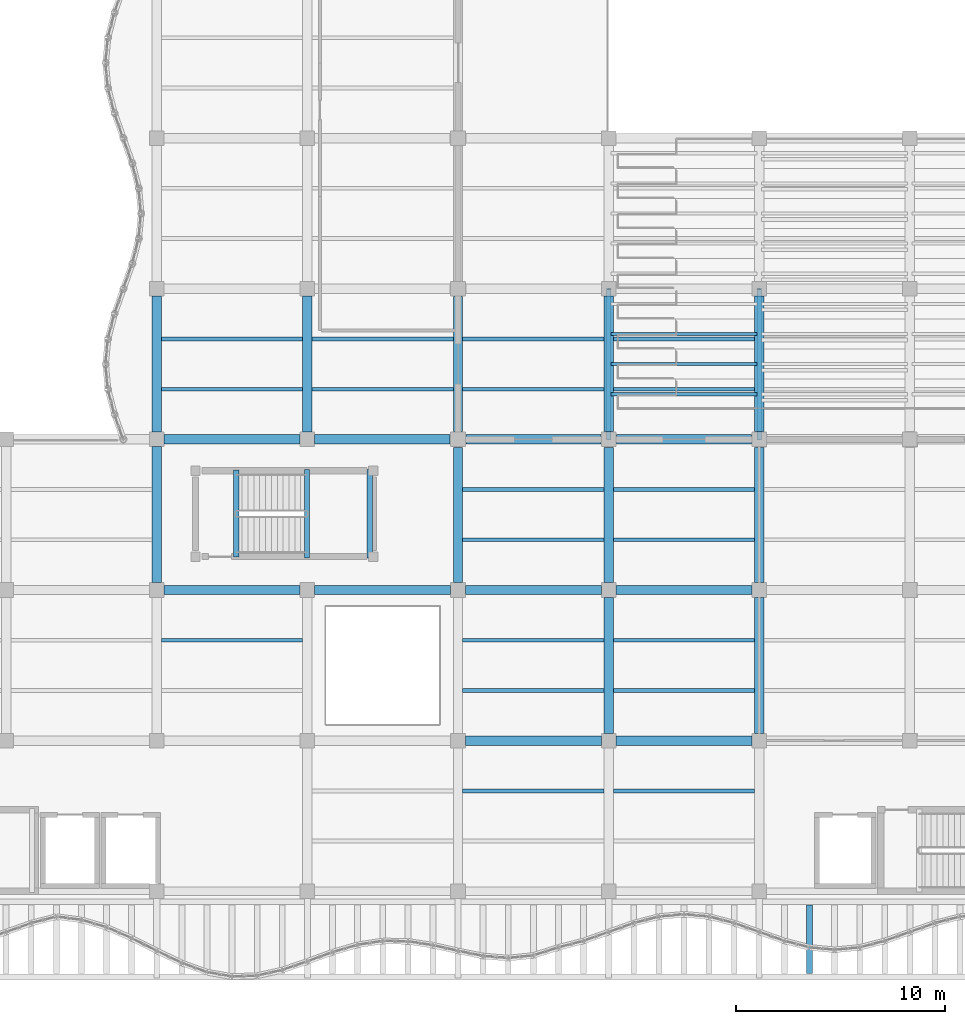
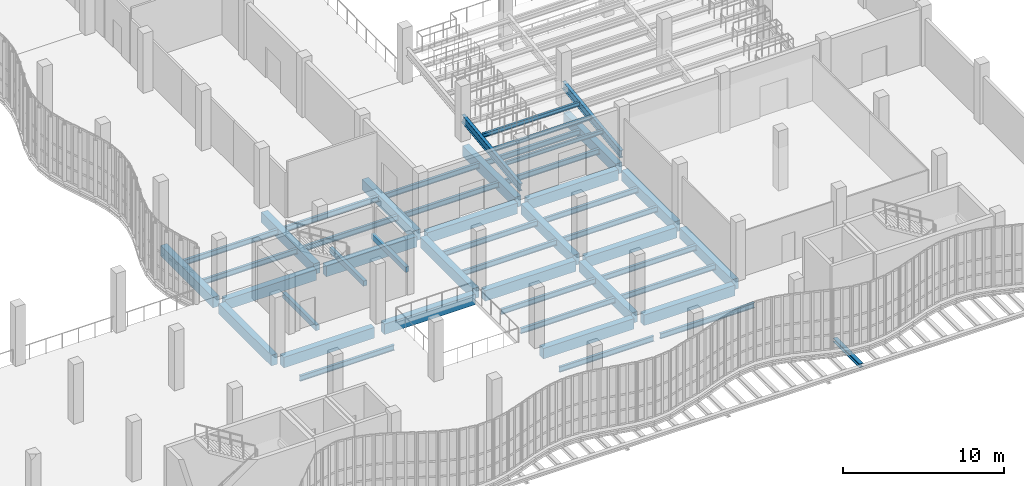
# One storey, part 35 of 108: 49 beams.
"""IFC4 building model written with IfcOpenShell, lengths in metres."""

from ifc_helpers import new_model, si_unit, direction, frame, origin, origin_2d, place, context, subcontext, project, spatial, rectangle, i_section, extrude, material, material_profile, profile_set, type_object, element, save


model = new_model("IFC4")

# Units and contexts
model_context = context("Model", 3, precision=1e-05, world=origin(), true_north=direction((0.0, 1.0)))
body_context = subcontext(model_context, "Body", "Model", "MODEL_VIEW")
ifc_project = project(units=[si_unit("LENGTHUNIT", "METRE"), si_unit("AREAUNIT", "SQUARE_METRE"), si_unit("VOLUMEUNIT", "CUBIC_METRE"), si_unit("PLANEANGLEUNIT", "RADIAN"), si_unit("MASSUNIT", "GRAM", prefix="KILO"), si_unit("THERMODYNAMICTEMPERATUREUNIT", "KELVIN"), si_unit("POWERUNIT", "WATT")], contexts=[model_context])

# Site, building, storey
site_placement = place(None, origin())
site = spatial("IfcSite", under=ifc_project, at=site_placement, CompositionType="ELEMENT")
building_placement = place(site_placement, origin())
building = spatial("IfcBuilding", under=site, at=building_placement, Name="Kaldorven Railside Theatre", CompositionType="ELEMENT")
storey_placement = place(building_placement, frame((0.0, 0.0, 5.39990234375)))
storey = spatial("IfcBuildingStorey", under=building, at=storey_placement, Name="L01", CompositionType="ELEMENT", Elevation=5.39990234375)

# Beams
ifc_material_1 = material(Name="Steel S355", Category="steel")
ifc_material_profile_1 = material_profile(ifc_material_1, i_section(OverallWidth=0.280029296875, OverallDepth=0.280029296875, WebThickness=0.010498046875, FlangeThickness=0.01806640625, at=origin_2d()), Name="HEB 280")
ifc_profile_set_1 = profile_set([ifc_material_profile_1], Name="Steel S355")
beam_type_1 = type_object("IfcBeamType", Name="BM-HEB280", PredefinedType="SPANDREL", material=ifc_profile_set_1)
beam_1_placement = place(storey_placement, frame((104.0, 15.260009765625, -0.719970703125), z_axis=(0.0, 1.0, 0.0), x_axis=(-1.0, 0.0, 0.0)))
element("IfcBeam", 1, at=beam_1_placement, inside=storey, type_object=beam_type_1, Name="L01 Sinusoidal Diaphragm Rib Outrigger FOB-M057", PredefinedType="SPANDREL", context=body_context, shape_type="SweptSolid", body=[
    extrude(i_section(OverallWidth=0.280029296875, OverallDepth=0.280029296875, WebThickness=0.010498046875, FlangeThickness=0.01806640625, at=origin_2d()), origin(), (0.0, 0.0, 1.0), 3.280029296875),
])
ifc_material_profile_2 = material_profile(ifc_material_1, i_section(OverallWidth=0.14990234375, OverallDepth=0.300048828125, WebThickness=0.007080078125, FlangeThickness=0.0107421875, at=origin_2d()), Name="IPE 300")
ifc_profile_set_2 = profile_set([ifc_material_profile_2], Name="Steel S355")
beam_type_2 = type_object("IfcBeamType", Name="BM-IPE300", PredefinedType="JOIST", material=ifc_profile_set_2)
for number, where, z_axis, x_axis, name in (
    (2, (94.510009765625, 42.9599609375, 1.080078125), (1.0, 0.0, 0.0), (0.0, 1.0, 0.0), "Seating Tier Transverse Bearer TBR-V1D-021"),
    (3, (94.510009765625, 44.39990234375, 1.260009765625), (1.0, 0.0, 0.0), (0.0, 1.0, 0.0), "Seating Tier Transverse Bearer TBR-V1D-031"),
    (4, (94.510009765625, 45.840087890625, 1.440185546875), (1.0, 0.0, 0.0), (0.0, 1.0, 0.0), "Seating Tier Transverse Bearer TBR-V1D-041"),
):
    element("IfcBeam", number, at=place(storey_placement, frame(where, z_axis=z_axis, x_axis=x_axis)), inside=storey, type_object=beam_type_2, Name=name, PredefinedType="JOIST", context=body_context, shape_type="SweptSolid", body=[
        extrude(i_section(OverallWidth=0.14990234375, OverallDepth=0.300048828125, WebThickness=0.007080078125, FlangeThickness=0.0107421875, at=origin_2d()), origin(), (0.0, 0.0, 1.0), 6.97998046875),
    ])
ifc_material_profile_3 = material_profile(ifc_material_1, i_section(OverallWidth=0.179931640625, OverallDepth=0.39990234375, WebThickness=0.008544921875, FlangeThickness=0.013427734375, at=origin_2d()), Name="IPE 400")
ifc_profile_set_3 = profile_set([ifc_material_profile_3], Name="Steel S355")
beam_type_3 = type_object("IfcBeamType", Name="BM-IPE400", PredefinedType="JOIST", material=ifc_profile_set_3)
for number, where, z_axis, x_axis, name in (
    (5, (87.425048828125, 24.0, -0.5), (1.0, 0.0, 0.0), (0.0, 1.0, 0.0), "L01 Secondary Floor Joist JG-L01-087-0240"),
    (6, (94.625, 24.0, -0.5), (1.0, 0.0, 0.0), (0.0, 1.0, 0.0), "L01 Secondary Floor Joist JG-L01-094-0240"),
    (7, (73.02490234375, 31.199951171875, -0.5), (1.0, 0.0, 0.0), (0.0, 1.0, 0.0), "L01 Secondary Floor Joist JG-L01-072-0312"),
    (8, (87.425048828125, 28.800048828125, -0.5), (1.0, 0.0, 0.0), (0.0, 1.0, 0.0), "L01 Secondary Floor Joist JG-L01-087-0288"),
    (9, (87.425048828125, 31.199951171875, -0.5), (1.0, 0.0, 0.0), (0.0, 1.0, 0.0), "L01 Secondary Floor Joist JG-L01-087-0312"),
    (10, (94.625, 28.800048828125, -0.5), (1.0, 0.0, 0.0), (0.0, 1.0, 0.0), "L01 Secondary Floor Joist JG-L01-094-0288"),
    (11, (94.625, 31.199951171875, -0.5), (1.0, 0.0, 0.0), (0.0, 1.0, 0.0), "L01 Secondary Floor Joist JG-L01-094-0312"),
    (12, (87.425048828125, 36.0, -0.5), (1.0, 0.0, 0.0), (0.0, 1.0, 0.0), "L01 Secondary Floor Joist JG-L01-087-0360"),
    (13, (87.425048828125, 38.39990234375, -0.5), (1.0, 0.0, 0.0), (0.0, 1.0, 0.0), "L01 Secondary Floor Joist JG-L01-087-0384"),
    (14, (94.625, 36.0, -0.5), (1.0, 0.0, 0.0), (0.0, 1.0, 0.0), "L01 Secondary Floor Joist JG-L01-094-0360"),
    (15, (94.625, 38.39990234375, -0.5), (1.0, 0.0, 0.0), (0.0, 1.0, 0.0), "L01 Secondary Floor Joist JG-L01-094-0384"),
    (16, (73.02490234375, 43.199951171875, -0.47998046875), (1.0, 0.0, 0.0), (0.0, 1.0, 0.0), "L01 Secondary Floor Joist JG-L01-072-0432"),
    (17, (73.02490234375, 45.60009765625, -0.47998046875), (1.0, 0.0, 0.0), (0.0, 1.0, 0.0), "L01 Secondary Floor Joist JG-L01-072-0456"),
    (18, (80.22509765625, 43.199951171875, -0.47998046875), (1.0, 0.0, 0.0), (0.0, 1.0, 0.0), "L01 Secondary Floor Joist JG-L01-080-0432"),
    (19, (80.22509765625, 45.60009765625, -0.47998046875), (1.0, 0.0, 0.0), (0.0, 1.0, 0.0), "L01 Secondary Floor Joist JG-L01-080-0456"),
    (20, (87.425048828125, 43.199951171875, -0.5), (1.0, 0.0, 0.0), (0.0, 1.0, 0.0), "L01 Secondary Floor Joist JG-L01-087-0432"),
    (21, (87.425048828125, 45.60009765625, -0.5), (1.0, 0.0, 0.0), (0.0, 1.0, 0.0), "L01 Secondary Floor Joist JG-L01-087-0456"),
    (22, (94.625, 43.199951171875, -0.5), (1.0, 0.0, 0.0), (0.0, 1.0, 0.0), "L01 Secondary Floor Joist JG-L01-094-0432"),
    (23, (94.625, 45.60009765625, -0.5), (1.0, 0.0, 0.0), (0.0, 1.0, 0.0), "L01 Secondary Floor Joist JG-L01-094-0456"),
):
    element("IfcBeam", number, at=place(storey_placement, frame(where, z_axis=z_axis, x_axis=x_axis)), inside=storey, type_object=beam_type_3, Name=name, PredefinedType="JOIST", context=body_context, shape_type="SweptSolid", body=[
        extrude(i_section(OverallWidth=0.179931640625, OverallDepth=0.39990234375, WebThickness=0.008544921875, FlangeThickness=0.013427734375, at=origin_2d()), origin(), (0.0, 0.0, 1.0), 6.75),
    ])
ifc_material_profile_4 = material_profile(ifc_material_1, i_section(OverallWidth=0.219970703125, OverallDepth=0.60009765625, WebThickness=0.011962890625, FlangeThickness=0.01904296875, at=origin_2d()), Name="IPE 600")
ifc_profile_set_4 = profile_set([ifc_material_profile_4], Name="Steel S355")
beam_type_4 = type_object("IfcBeamType", Name="BM-IPE600", PredefinedType="USERDEFINED", material=ifc_profile_set_4)
for number, where, z_axis, x_axis, name in (
    (24, (94.39990234375, 40.800048828125, 0.6201171875), (0.0, 0.992279429568, 0.124022311125), (-1.0, 0.0, 0.0), "Auditorium Raker Girder RKG-V1D-11"),
    (25, (101.60009765625, 40.800048828125, 0.6201171875), (0.0, 0.992279429568, 0.124022311125), (-1.0, 0.0, 0.0), "Auditorium Raker Girder RKG-V1D-21"),
):
    element("IfcBeam", number, at=place(storey_placement, frame(where, z_axis=z_axis, x_axis=x_axis)), inside=storey, type_object=beam_type_4, Name=name, ObjectType="RAKER BEAM", PredefinedType="USERDEFINED", context=body_context, shape_type="SweptSolid", body=[
        extrude(i_section(OverallWidth=0.219970703125, OverallDepth=0.60009765625, WebThickness=0.011962890625, FlangeThickness=0.01904296875, at=origin_2d()), origin(), (0.0, 0.0, 1.0), 7.255859375),
    ])
ifc_material_2 = material(Name="Concrete C40/50", Category="concrete")
ifc_material_profile_5 = material_profile(ifc_material_2, rectangle(XDim=0.25, YDim=0.39990234375, at=origin_2d()), Name="RC 250x400")
ifc_profile_set_5 = profile_set([ifc_material_profile_5], Name="Concrete C40/50")
beam_type_5 = type_object("IfcBeamType", Name="BM-RC250x400", PredefinedType="LINTEL", material=ifc_profile_set_5)
beam_2_placement = place(storey_placement, frame((76.60009765625, 35.169921875, -0.344970703125), z_axis=(0.0, 1.0, 0.0), x_axis=(-1.0, 0.0, 0.0)))
element("IfcBeam", 26, at=beam_2_placement, inside=storey, type_object=beam_type_5, Name="Stair ST-07 L01 Landing Trimmer Beam", PredefinedType="LINTEL", context=body_context, shape_type="SweptSolid", body=[
    extrude(rectangle(XDim=0.25, YDim=0.39990234375, at=origin_2d()), origin(), (0.0, 0.0, 1.0), 4.16015625),
])
for number, where, z_axis, x_axis, name in (
    (27, (79.985107421875, 35.139892578125, 1.85009765625), (0.0, 1.0, 0.0), (-1.0, 0.0, 0.0), "Stair ST-07 L01 Half-Landing Bearer"),
    (28, (82.97998046875, 35.139892578125, 1.85009765625), (0.0, 1.0, 0.0), (-1.0, 0.0, 0.0), "Stair ST-07 L01 Half-Landing Bearer"),
):
    element("IfcBeam", number, at=place(storey_placement, frame(where, z_axis=z_axis, x_axis=x_axis)), inside=storey, type_object=beam_type_5, Name=name, PredefinedType="LINTEL", context=body_context, shape_type="SweptSolid", body=[
        extrude(rectangle(XDim=0.25, YDim=0.39990234375, at=origin_2d()), origin(), (0.0, 0.0, 1.0), 4.22021484375),
    ])
ifc_material_profile_6 = material_profile(ifc_material_2, rectangle(XDim=0.449951171875, YDim=0.800048828125, at=origin_2d()), Name="RC 450x800")
ifc_profile_set_6 = profile_set([ifc_material_profile_6], Name="Concrete C40/50")
beam_type_6 = type_object("IfcBeamType", Name="BM-RC450x800", PredefinedType="BEAM", material=ifc_profile_set_6)
for number, where, z_axis, x_axis, name in (
    (29, (87.550048828125, 26.39990234375, -0.699951171875), (1.0, 0.0, 0.0), (0.0, 1.0, 0.0), "L01 Girder BGX-L01-087-026"),
    (30, (94.75, 26.39990234375, -0.699951171875), (1.0, 0.0, 0.0), (0.0, 1.0, 0.0), "L01 Girder BGX-L01-094-026"),
    (31, (94.39990234375, 26.75, -0.699951171875), (0.0, 1.0, 0.0), (-1.0, 0.0, 0.0), "L01 Girder BGY-L01-094-026-72"),
    (32, (101.60009765625, 26.75, -0.699951171875), (0.0, 1.0, 0.0), (-1.0, 0.0, 0.0), "L01 Girder BGY-L01-101-026-72"),
    (33, (73.14990234375, 33.60009765625, -0.699951171875), (1.0, 0.0, 0.0), (0.0, 1.0, 0.0), "L01 Girder BGX-L01-072-033"),
    (34, (72.800048828125, 33.949951171875, -0.699951171875), (0.0, 1.0, 0.0), (-1.0, 0.0, 0.0), "L01 Girder BGY-L01-072-033-72"),
    (35, (80.35009765625, 33.60009765625, -0.699951171875), (1.0, 0.0, 0.0), (0.0, 1.0, 0.0), "L01 Girder BGX-L01-080-033"),
    (36, (87.550048828125, 33.60009765625, -0.699951171875), (1.0, 0.0, 0.0), (0.0, 1.0, 0.0), "L01 Girder BGX-L01-087-033"),
):
    element("IfcBeam", number, at=place(storey_placement, frame(where, z_axis=z_axis, x_axis=x_axis)), inside=storey, type_object=beam_type_6, Name=name, PredefinedType="BEAM", context=body_context, shape_type="SweptSolid", body=[
        extrude(rectangle(XDim=0.449951171875, YDim=0.800048828125, at=origin_2d()), origin(), (0.0, 0.0, 1.0), 6.5),
    ])
beam_3_placement = place(storey_placement, frame((87.199951171875, 33.949951171875, -0.699951171875), z_axis=(0.0, 1.0, 0.0), x_axis=(-1.0, 0.0, 0.0)))
element("IfcBeam", 37, at=beam_3_placement, inside=storey, type_object=beam_type_6, Name="L01 Girder BGY-L01-087-033-72", PredefinedType="BEAM", context=body_context, shape_type="SweptSolid", body=[
    extrude(rectangle(XDim=0.449951171875, YDim=0.800048828125, at=origin_2d()), origin(), (0.0, 0.0, 1.0), 6.47509765625),
])
beam_4_placement = place(storey_placement, frame((94.75, 33.60009765625, -0.699951171875), z_axis=(1.0, 0.0, 0.0), x_axis=(0.0, 1.0, 0.0)))
element("IfcBeam", 38, at=beam_4_placement, inside=storey, type_object=beam_type_6, Name="L01 Girder BGX-L01-094-033", PredefinedType="BEAM", context=body_context, shape_type="SweptSolid", body=[
    extrude(rectangle(XDim=0.449951171875, YDim=0.800048828125, at=origin_2d()), origin(), (0.0, 0.0, 1.0), 6.5),
])
for number, where, z_axis, x_axis, name in (
    (39, (94.39990234375, 33.949951171875, -0.699951171875), (0.0, 1.0, 0.0), (-1.0, 0.0, 0.0), "L01 Girder BGY-L01-094-033-72"),
    (40, (101.60009765625, 33.949951171875, -0.699951171875), (0.0, 1.0, 0.0), (-1.0, 0.0, 0.0), "L01 Girder BGY-L01-101-033-72"),
):
    element("IfcBeam", number, at=place(storey_placement, frame(where, z_axis=z_axis, x_axis=x_axis)), inside=storey, type_object=beam_type_6, Name=name, PredefinedType="BEAM", context=body_context, shape_type="SweptSolid", body=[
        extrude(rectangle(XDim=0.449951171875, YDim=0.800048828125, at=origin_2d()), origin(), (0.0, 0.0, 1.0), 6.47509765625),
    ])
for number, where, z_axis, x_axis, name in (
    (41, (73.14990234375, 40.800048828125, -0.699951171875), (1.0, 0.0, 0.0), (0.0, 1.0, 0.0), "L01 Girder BGX-L01-072-040"),
    (42, (72.800048828125, 41.14990234375, -0.679931640625), (0.0, 1.0, 0.0), (-1.0, 0.0, 0.0), "L01 Girder BGY-L01-072-040-72"),
):
    element("IfcBeam", number, at=place(storey_placement, frame(where, z_axis=z_axis, x_axis=x_axis)), inside=storey, type_object=beam_type_6, Name=name, PredefinedType="BEAM", context=body_context, shape_type="SweptSolid", body=[
        extrude(rectangle(XDim=0.449951171875, YDim=0.800048828125, at=origin_2d()), origin(), (0.0, 0.0, 1.0), 6.5),
    ])
beam_5_placement = place(storey_placement, frame((80.35009765625, 40.800048828125, -0.699951171875), z_axis=(1.0, 0.0, 0.0), x_axis=(0.0, 1.0, 0.0)))
element("IfcBeam", 43, at=beam_5_placement, inside=storey, type_object=beam_type_6, Name="L01 Girder BGX-L01-080-040", PredefinedType="BEAM", context=body_context, shape_type="SweptSolid", body=[
    extrude(rectangle(XDim=0.449951171875, YDim=0.800048828125, at=origin_2d()), origin(), (0.0, 0.0, 1.0), 6.474853515625),
])
beam_6_placement = place(storey_placement, frame((80.0, 41.14990234375, -0.679931640625), z_axis=(0.0, 1.0, 0.0), x_axis=(-1.0, 0.0, 0.0)))
element("IfcBeam", 44, at=beam_6_placement, inside=storey, type_object=beam_type_6, Name="L01 Girder BGY-L01-080-040-72", PredefinedType="BEAM", context=body_context, shape_type="SweptSolid", body=[
    extrude(rectangle(XDim=0.449951171875, YDim=0.800048828125, at=origin_2d()), origin(), (0.0, 0.0, 1.0), 6.5),
])
for number, where, z_axis, x_axis, name in (
    (45, (87.574951171875, 40.800048828125, -0.699951171875), (1.0, 0.0, 0.0), (0.0, 1.0, 0.0), "L01 Girder BGX-L01-087-040"),
    (46, (87.199951171875, 41.175048828125, -0.699951171875), (0.0, 1.0, 0.0), (-1.0, 0.0, 0.0), "L01 Girder BGY-L01-087-040-72"),
):
    element("IfcBeam", number, at=place(storey_placement, frame(where, z_axis=z_axis, x_axis=x_axis)), inside=storey, type_object=beam_type_6, Name=name, PredefinedType="BEAM", context=body_context, shape_type="SweptSolid", body=[
        extrude(rectangle(XDim=0.449951171875, YDim=0.800048828125, at=origin_2d()), origin(), (0.0, 0.0, 1.0), 6.449951171875),
    ])
beam_7_placement = place(storey_placement, frame((94.77490234375, 40.800048828125, -0.699951171875), z_axis=(1.0, 0.0, 0.0), x_axis=(0.0, 1.0, 0.0)))
element("IfcBeam", 47, at=beam_7_placement, inside=storey, type_object=beam_type_6, Name="L01 Girder BGX-L01-094-040", PredefinedType="BEAM", context=body_context, shape_type="SweptSolid", body=[
    extrude(rectangle(XDim=0.449951171875, YDim=0.800048828125, at=origin_2d()), origin(), (0.0, 0.0, 1.0), 6.4501953125),
])
for number, where, z_axis, x_axis, name in (
    (48, (94.39990234375, 41.175048828125, -0.699951171875), (0.0, 1.0, 0.0), (-1.0, 0.0, 0.0), "L01 Girder BGY-L01-094-040-72"),
    (49, (101.60009765625, 41.175048828125, -0.699951171875), (0.0, 1.0, 0.0), (-1.0, 0.0, 0.0), "L01 Girder BGY-L01-101-040-72"),
):
    element("IfcBeam", number, at=place(storey_placement, frame(where, z_axis=z_axis, x_axis=x_axis)), inside=storey, type_object=beam_type_6, Name=name, PredefinedType="BEAM", context=body_context, shape_type="SweptSolid", body=[
        extrude(rectangle(XDim=0.449951171875, YDim=0.800048828125, at=origin_2d()), origin(), (0.0, 0.0, 1.0), 6.474853515625),
    ])

save(model, "model.ifc")
